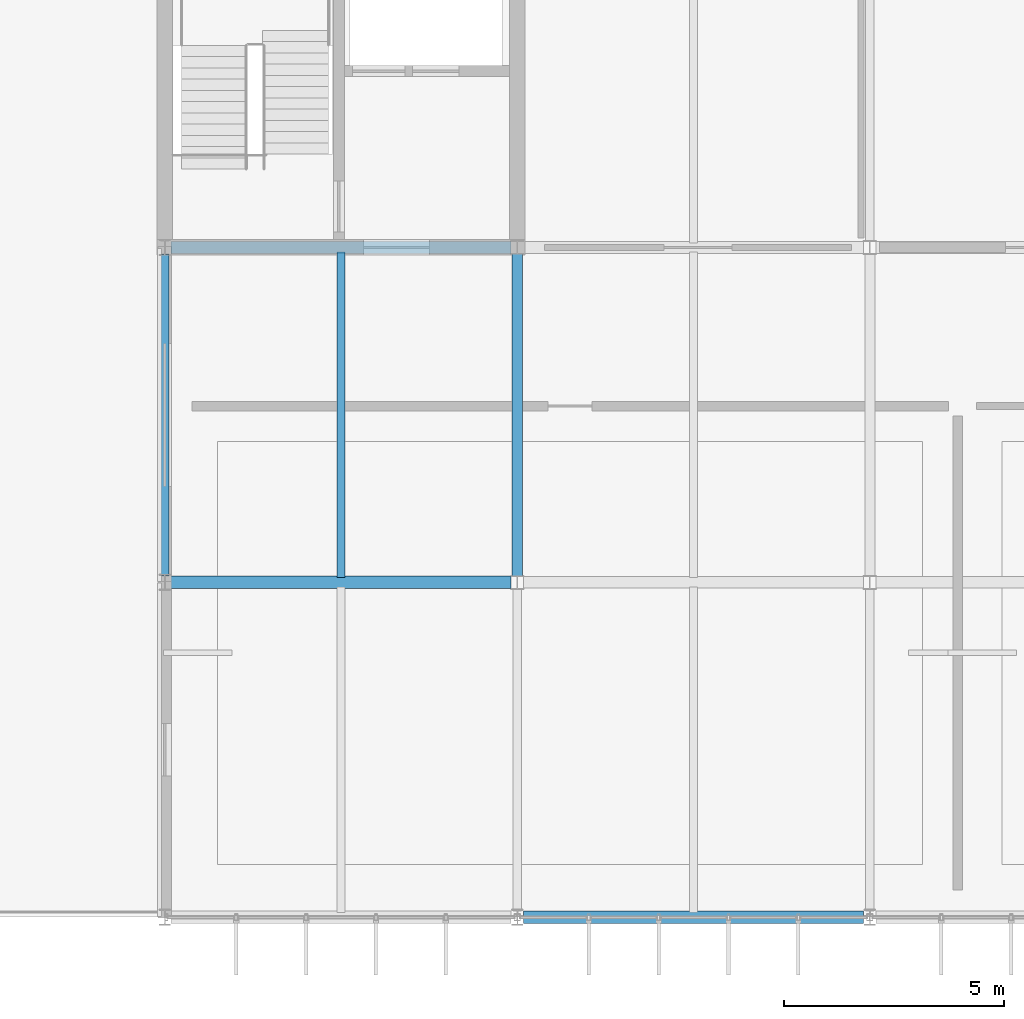
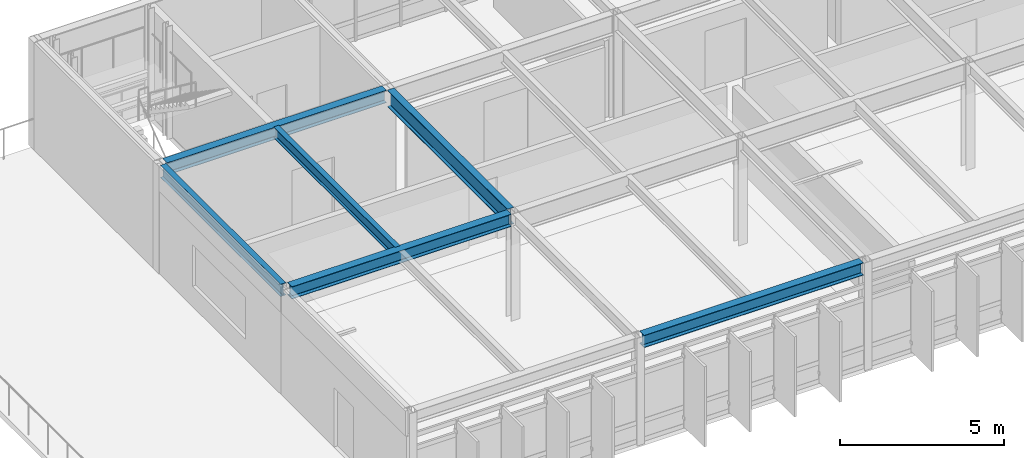
# One storey, part 5 of 21: 6 beams.
"""IFC4 building model written with IfcOpenShell, lengths in metres."""

from ifc_helpers import new_model, si_unit, direction, frame, origin, origin_2d, place, context, subcontext, project, spatial, i_section, extrude, material, material_profile, profile_set, type_object, element, save


model = new_model("IFC4")

# Units and contexts
model_context = context("Model", 3, precision=1e-05, world=origin(), true_north=direction((0.0, 1.0)))
body_context = subcontext(model_context, "Body", "Model", "MODEL_VIEW")
ifc_project = project(units=[si_unit("LENGTHUNIT", "METRE"), si_unit("AREAUNIT", "SQUARE_METRE"), si_unit("VOLUMEUNIT", "CUBIC_METRE"), si_unit("PLANEANGLEUNIT", "RADIAN"), si_unit("MASSUNIT", "GRAM", prefix="KILO")], contexts=[model_context])

# Site, building, storey
site_placement = place(None, origin())
site = spatial("IfcSite", under=ifc_project, at=site_placement, CompositionType="ELEMENT")
building_placement = place(site_placement, origin())
building = spatial("IfcBuilding", under=site, at=building_placement, Name="Zulena Civic Courthouse", CompositionType="ELEMENT")
storey_placement = place(building_placement, frame((0.0, 0.0, 37.800048828125)))
storey = spatial("IfcBuildingStorey", under=building, at=storey_placement, Name="L08", CompositionType="ELEMENT", Elevation=37.800048828125)

# Beams
ifc_material = material(Name="Steel ASTM A992 Grade 50", Category="steel")
ifc_material_profile_1 = material_profile(ifc_material, i_section(OverallWidth=0.22998046875, OverallDepth=0.616943359375, WebThickness=0.01318359375, FlangeThickness=0.022216796875, FilletRadius=0.0126953125, at=origin_2d()), Name="W24X94")
ifc_profile_set_1 = profile_set([ifc_material_profile_1], Name="Steel ASTM A992 Grade 50")
beam_type_1 = type_object("IfcBeamType", Name="Girder_W24X94", PredefinedType="BEAM", material=ifc_profile_set_1)
beam_1_placement = place(storey_placement, frame((28.0, 7.7451171875, 3.69140625), z_axis=(0.0, 1.0, 0.0), x_axis=(-1.0, 0.0, 0.0)))
element("IfcBeam", 1, at=beam_1_placement, inside=storey, type_object=beam_type_1, Name="beam:Y:V2:L08:28.0:7.6_15.2", PredefinedType="BEAM", context=body_context, shape_type="SweptSolid", body=[
    extrude(i_section(OverallWidth=0.22998046875, OverallDepth=0.616943359375, WebThickness=0.01318359375, FlangeThickness=0.022216796875, FilletRadius=0.0126953125, at=origin_2d()), origin(), (0.0, 0.0, 1.0), 7.309814453125),
])
ifc_material_profile_2 = material_profile(ifc_material, i_section(OverallWidth=0.180908203125, OverallDepth=0.4169921875, WebThickness=0.010986328125, FlangeThickness=0.018310546875, FilletRadius=0.01025390625, at=origin_2d()), Name="W16X57")
ifc_profile_set_2 = profile_set([ifc_material_profile_2], Name="Steel ASTM A992 Grade 50")
beam_type_2 = type_object("IfcBeamType", Name="Joist_W16X57", PredefinedType="JOIST", material=ifc_profile_set_2)
beam_2_placement = place(storey_placement, frame((24.0, 7.705078125, 3.79150390625), z_axis=(0.0, 1.0, 0.0), x_axis=(-1.0, 0.0, 0.0)))
element("IfcBeam", 2, at=beam_2_placement, inside=storey, type_object=beam_type_2, Name="joist:V2:L08:24.00:7.6_15.2", PredefinedType="JOIST", context=body_context, shape_type="SweptSolid", body=[
    extrude(i_section(OverallWidth=0.180908203125, OverallDepth=0.4169921875, WebThickness=0.010986328125, FlangeThickness=0.018310546875, FilletRadius=0.01025390625, at=origin_2d()), origin(), (0.0, 0.0, 1.0), 7.389892578125),
])
ifc_material_profile_3 = material_profile(ifc_material, i_section(OverallWidth=0.19091796875, OverallDepth=0.4599609375, WebThickness=0.010009765625, FlangeThickness=0.01611328125, FilletRadius=0.01025390625, at=origin_2d()), Name="W18X55")
ifc_profile_set_3 = profile_set([ifc_material_profile_3], Name="Steel ASTM A992 Grade 50")
beam_type_3 = type_object("IfcBeamType", Name="Spandrel_W18X55", PredefinedType="SPANDREL", material=ifc_profile_set_3)
beam_3_placement = place(storey_placement, frame((20.0, 7.7451171875, 3.77001953125), z_axis=(0.0, 1.0, 0.0), x_axis=(-1.0, 0.0, 0.0)))
element("IfcBeam", 3, at=beam_3_placement, inside=storey, type_object=beam_type_3, Name="beam:Y:V2:L08:20.0:7.6_15.2", PredefinedType="SPANDREL", context=body_context, shape_type="SweptSolid", body=[
    extrude(i_section(OverallWidth=0.19091796875, OverallDepth=0.4599609375, WebThickness=0.010009765625, FlangeThickness=0.01611328125, FilletRadius=0.01025390625, at=origin_2d()), origin(), (0.0, 0.0, 1.0), 7.309814453125),
])
ifc_material_profile_4 = material_profile(ifc_material, i_section(OverallWidth=0.280029296875, OverallDepth=0.462890625, WebThickness=0.0107421875, FlangeThickness=0.017333984375, FilletRadius=0.01025390625, at=origin_2d()), Name="W18X76")
ifc_profile_set_4 = profile_set([ifc_material_profile_4], Name="Steel ASTM A992 Grade 50")
beam_type_4 = type_object("IfcBeamType", Name="Spandrel_W18X76", PredefinedType="SPANDREL", material=ifc_profile_set_4)
for number, where, z_axis, x_axis, name in (
    (4, (28.14501953125, 0.0, 3.7685546875), (1.0, 0.0, 0.0), (0.0, 1.0, 0.0), "beam:X:V2:L08:0.0:28.0_36.0"),
    (5, (20.14501953125, 7.60009765625, 3.7685546875), (1.0, 0.0, 0.0), (0.0, 1.0, 0.0), "beam:X:V2:L08:7.6:20.0_28.0"),
    (6, (20.14501953125, 15.199951171875, 3.7685546875), (1.0, 0.0, 0.0), (0.0, 1.0, 0.0), "beam:X:V2:L08:15.2:20.0_28.0"),
):
    element("IfcBeam", number, at=place(storey_placement, frame(where, z_axis=z_axis, x_axis=x_axis)), inside=storey, type_object=beam_type_4, Name=name, PredefinedType="SPANDREL", context=body_context, shape_type="SweptSolid", body=[
        extrude(i_section(OverallWidth=0.280029296875, OverallDepth=0.462890625, WebThickness=0.0107421875, FlangeThickness=0.017333984375, FilletRadius=0.01025390625, at=origin_2d()), origin(), (0.0, 0.0, 1.0), 7.7099609375),
    ])

save(model, "model.ifc")
